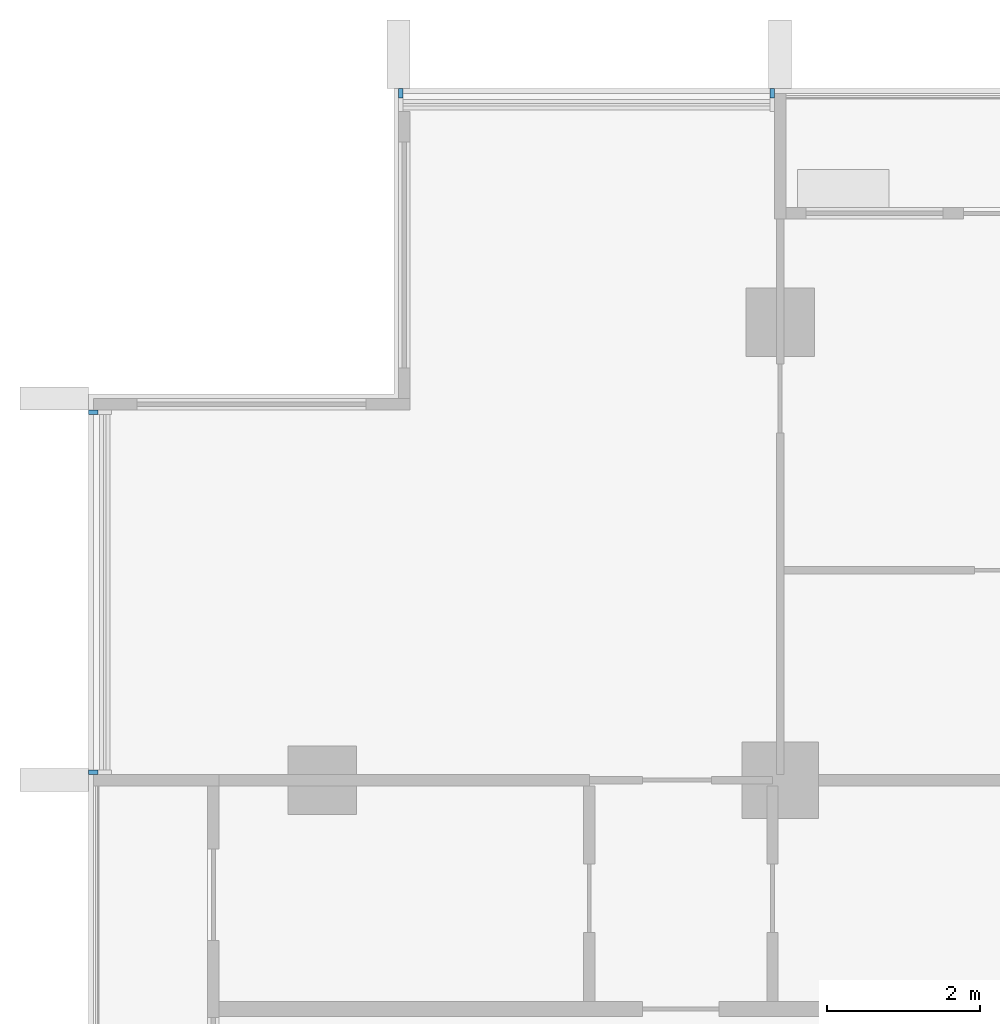
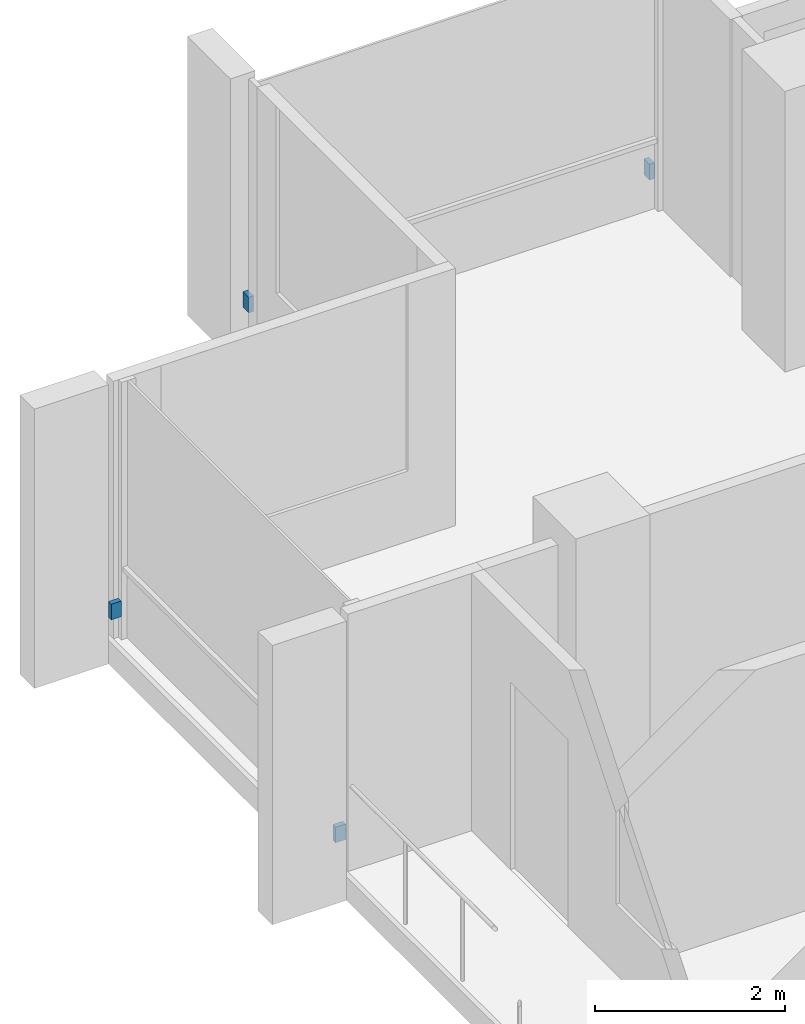
# One storey, part 15 of 17: 4 discrete accessories.
"""IFC4 building model written with IfcOpenShell, lengths in metres."""

from ifc_helpers import new_model, si_unit, direction, frame, origin, origin_2d, place, context, subcontext, project, spatial, rectangle, extrude, material, type_object, element, save


model = new_model("IFC4")

# Units and contexts
model_context = context("Model", 3, precision=1e-05, world=origin(), true_north=direction((0.0, 1.0)))
body_context = subcontext(model_context, "Body", "Model", "MODEL_VIEW")
ifc_project = project(units=[si_unit("LENGTHUNIT", "METRE"), si_unit("AREAUNIT", "SQUARE_METRE"), si_unit("VOLUMEUNIT", "CUBIC_METRE"), si_unit("PLANEANGLEUNIT", "RADIAN"), si_unit("MASSUNIT", "GRAM", prefix="KILO")], contexts=[model_context])

# Site, building, storey
site_placement = place(None, origin())
site = spatial("IfcSite", under=ifc_project, at=site_placement, CompositionType="ELEMENT")
building_placement = place(site_placement, origin())
building = spatial("IfcBuilding", under=site, at=building_placement, Name="Finial Court Residences", CompositionType="ELEMENT")
storey_placement = place(building_placement, frame((0.0, 0.0, 167.300048828125)))
storey = spatial("IfcBuildingStorey", under=building, at=storey_placement, Name="L41", CompositionType="ELEMENT", Elevation=167.300048828125)

# Discrete accessories
ifc_material = material(Name="Stainless steel 316", Category="steel")
discrete_accessory_type = type_object("IfcDiscreteAccessoryType", Name="Fin bracket, stainless steel 60 x 122 x 200", PredefinedType="BRACKET", material=ifc_material)
for number, where, z_axis, x_axis, name in (
    (1, (-15.469970703125, 22.498779296875, 0.2998046875), (0.0, 0.0, 1.0), (1.0, 0.0, 0.0), "E-L41-FIN-N1-BRK"),
    (2, (-10.60498046875, 22.498779296875, 0.2998046875), (0.0, 0.0, 1.0), (1.0, 0.0, 0.0), "E-L41-FIN-N2-BRK"),
):
    element("IfcDiscreteAccessory", number, at=place(storey_placement, frame(where, z_axis=z_axis, x_axis=x_axis)), inside=storey, type_object=discrete_accessory_type, Name=name, PredefinedType="BRACKET", context=body_context, shape_type="SweptSolid", body=[
        extrude(rectangle(XDim=0.06005859375, YDim=0.12255859375, at=origin_2d()), origin(), (0.0, 0.0, 1.0), 0.199951171875),
    ])
for number, where, z_axis, x_axis, name in (
    (3, (-19.498779296875, 13.60498046875, 0.2998046875), (0.0, 0.0, 1.0), (1.0, 0.0, 0.0), "E-L41-FIN-W27-BRK"),
    (4, (-19.498779296875, 18.320068359375, 0.2998046875), (0.0, 0.0, 1.0), (1.0, 0.0, 0.0), "E-L41-FIN-W28-BRK"),
):
    element("IfcDiscreteAccessory", number, at=place(storey_placement, frame(where, z_axis=z_axis, x_axis=x_axis)), inside=storey, type_object=discrete_accessory_type, Name=name, PredefinedType="BRACKET", context=body_context, shape_type="SweptSolid", body=[
        extrude(rectangle(XDim=0.12255859375, YDim=0.06005859375, at=origin_2d()), origin(), (0.0, 0.0, 1.0), 0.199951171875),
    ])

save(model, "model.ifc")
